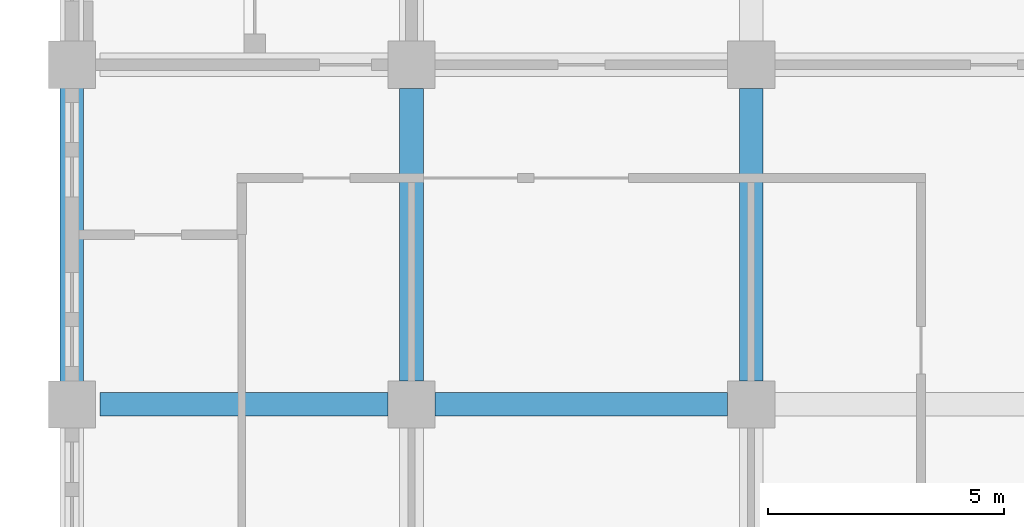
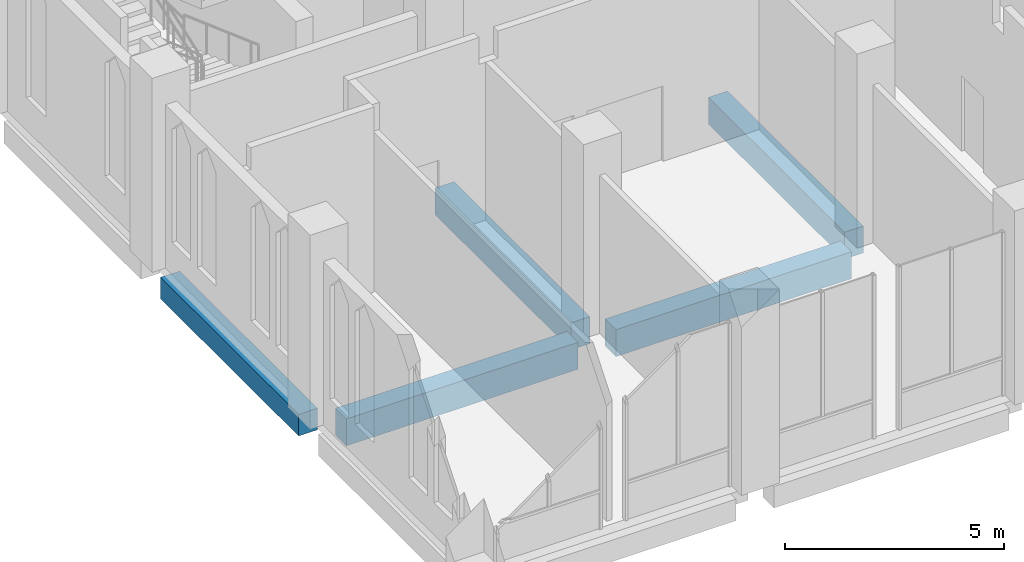
# One storey, part 9 of 48: 5 beams.
"""IFC4 building model written with IfcOpenShell, lengths in metres."""

import ifcopenshell
import ifcopenshell.guid

model = None  # the IFC model being written
_history = None  # IfcOwnerHistory: only IFC2X3 demands one
_inside = {}  # id of a spatial element -> (the spatial element, [elements in it])
_under = {}  # id of a project, library or spatial element -> (it, [spatial elements below it])
_declared = {}  # id of a project -> (the project, [libraries it declares])
_typed = {}  # id of a type object -> (the type object, [elements of that type])
_made_of = {}  # id of a material, layer set ... -> (it, [elements and type objects made of it])


def new_model(schema):
    """Start an empty IFC model of exactly this schema.

    Asked for "IFC4X3", IfcOpenShell would pick the latest addendum, in which some entities
    have other attributes; the version numbers below select the first issue.
    IFC2X3 requires an IfcOwnerHistory on every rooted entity: one is made here for all.
    """
    global model, _history
    if schema == "IFC4X3":
        model = ifcopenshell.file(schema_version=(4, 3, 0, 0))
    else:
        model = ifcopenshell.file(schema=schema)
    _inside.clear()
    _under.clear()
    _declared.clear()
    _typed.clear()
    _made_of.clear()
    _history = None
    if model.schema == "IFC2X3":
        org = make("IfcOrganization", Name="unknown")
        user = make(
            "IfcPersonAndOrganization",
            ThePerson=make("IfcPerson", FamilyName="unknown"),
            TheOrganization=org,
        )
        app = make(
            "IfcApplication",
            ApplicationDeveloper=org,
            Version="unknown",
            ApplicationFullName="unknown",
            ApplicationIdentifier="unknown",
        )
        _history = make(
            "IfcOwnerHistory",
            OwningUser=user,
            OwningApplication=app,
            ChangeAction="ADDED",
            CreationDate=0,
        )
    return model


def make(cls, **values):
    """One entity of the class cls with the attributes given. An attribute that is None is left unset."""
    return model.create_entity(
        cls, **{name: value for name, value in values.items() if value is not None}
    )


def rooted(cls, **values):
    """An entity with a GlobalId (a new one), such as an element, a storey or a relation."""
    return make(cls, GlobalId=ifcopenshell.guid.new(), OwnerHistory=_history, **values)


def si_unit(unit_type, name, prefix=None):
    """IfcSIUnit, for example si_unit("LENGTHUNIT", "METRE", prefix="MILLI")."""
    return make("IfcSIUnit", UnitType=unit_type, Prefix=prefix, Name=name)


def assignment(units):
    """IfcUnitAssignment: the units of a project."""
    return None if units is None else make("IfcUnitAssignment", Units=units)


def point(xyz):
    """IfcCartesianPoint."""
    return None if xyz is None else make("IfcCartesianPoint", Coordinates=xyz)


def direction(xyz):
    """IfcDirection."""
    return None if xyz is None else make("IfcDirection", DirectionRatios=xyz)


def frame(location, z_axis=None, x_axis=None):
    """IfcAxis2Placement3D, a coordinate frame: its origin and axes. An axis left out is left unset."""
    return make(
        "IfcAxis2Placement3D",
        Location=point(location),
        Axis=direction(z_axis),
        RefDirection=direction(x_axis),
    )


def frame_2d(location, x_axis=None):
    """IfcAxis2Placement2D, a coordinate frame in the plane: its origin and x axis."""
    return make(
        "IfcAxis2Placement2D", Location=point(location), RefDirection=direction(x_axis)
    )


def origin():
    """The frame at (0, 0, 0) with its axes left unset."""
    return frame((0.0, 0.0, 0.0))


def origin_2d():
    """The frame at (0, 0) in the plane with its x axis left unset."""
    return frame_2d((0.0, 0.0))


def place(relative_to, where):
    """IfcLocalPlacement: puts the frame where relative to a parent placement (None: the world)."""
    return make(
        "IfcLocalPlacement", PlacementRelTo=relative_to, RelativePlacement=where
    )


def context(
    kind, dimensions, precision=None, world=None, true_north=None, identifier=None
):
    """IfcGeometricRepresentationContext, for example the 3D "Model" context."""
    return make(
        "IfcGeometricRepresentationContext",
        ContextIdentifier=identifier,
        ContextType=kind,
        CoordinateSpaceDimension=dimensions,
        Precision=precision,
        WorldCoordinateSystem=world,
        TrueNorth=true_north,
    )


def subcontext(parent, identifier, kind, view, scale=None):
    """IfcGeometricRepresentationSubContext, for example "Body" below "Model"."""
    return make(
        "IfcGeometricRepresentationSubContext",
        ContextIdentifier=identifier,
        ContextType=kind,
        ParentContext=parent,
        TargetScale=scale,
        TargetView=view,
    )


def project(units=None, contexts=None):
    """IfcProject with its units and contexts."""
    return rooted(
        "IfcProject",
        Name="project",
        RepresentationContexts=contexts,
        UnitsInContext=assignment(units),
    )


def spatial(cls, under=None, at=None, **own):
    """A site, building, storey or space (cls), placed at a placement, below another one or the project."""
    s = rooted(cls, ObjectPlacement=at, **own)
    if under is not None:
        _under.setdefault(under.id(), (under, []))[1].append(s)
    return s


def profile(cls, at=None, kind="AREA", **sizes):
    """A parametric profile (cls). Its sizes go by their IFC names, for example OverallWidth=200.0."""
    return make(cls, ProfileType=kind, Position=at, **sizes)


def rectangle(**sizes):
    """IfcRectangleProfileDef."""
    return profile("IfcRectangleProfileDef", **sizes)


def extrude(swept, where, along, depth):
    """IfcExtrudedAreaSolid: the profile swept, set in the frame where, extruded along a direction by depth."""
    return make(
        "IfcExtrudedAreaSolid",
        SweptArea=swept,
        Position=where,
        ExtrudedDirection=direction(along),
        Depth=depth,
    )


def shape(context_of_items, identifier, shape_type, items):
    """IfcShapeRepresentation: the items that make up one representation, for example the "Body"."""
    return make(
        "IfcShapeRepresentation",
        ContextOfItems=context_of_items,
        RepresentationIdentifier=identifier,
        RepresentationType=shape_type,
        Items=items,
    )


def material(Name=None, Category=None):
    """IfcMaterial."""
    return make("IfcMaterial", Name=Name, Category=Category)


def material_profile(
    of_material, cross_section, Name=None, Category=None, Priority=None
):
    """IfcMaterialProfile: a cross section and its material."""
    return make(
        "IfcMaterialProfile",
        Name=Name,
        Material=of_material,
        Profile=cross_section,
        Priority=Priority,
        Category=Category,
    )


def profile_set(profiles, Name=None, composite=None):
    """IfcMaterialProfileSet."""
    return make(
        "IfcMaterialProfileSet",
        Name=Name,
        MaterialProfiles=profiles,
        CompositeProfile=composite,
    )


def made_of(thing, what):
    """Note that an element or type object is made of a material, layer set ...; save() writes the relation."""
    if what is not None:
        _made_of.setdefault(what.id(), (what, []))[1].append(thing)
    return thing


def type_object(cls, material=None, **own):
    """A type object (cls), such as IfcWallType, which elements share."""
    return made_of(rooted(cls, **own), material)


def element(
    cls,
    number,
    at=None,
    inside=None,
    cuts=None,
    type_object=None,
    material=None,
    context=None,
    identifier="Body",
    shape_type=None,
    held_by="IfcProductDefinitionShape",
    body=None,
    shapes=None,
    **own,
):
    """One element of the class cls, such as IfcWall. Its Tag is "e" and its number.

    at: its placement. inside: the storey or other place that contains it. cuts: it is an
    opening in that element (IfcRelVoidsElement). A single representation is given by context,
    identifier, shape_type and body (its items); several are given by shapes. held_by: the class
    of the entity that holds the representations. save() writes the other relations.
    """
    e = rooted(cls, Tag="e%d" % number, ObjectPlacement=at, **own)
    if body is not None:
        shapes = [shape(context, identifier, shape_type, body)]
    if shapes is not None:
        e.Representation = make(held_by, Representations=shapes)
    if inside is not None:
        _inside.setdefault(inside.id(), (inside, []))[1].append(e)
    if cuts is not None:
        rooted(
            "IfcRelVoidsElement", RelatingBuildingElement=cuts, RelatedOpeningElement=e
        )
    if type_object is not None:
        _typed.setdefault(type_object.id(), (type_object, []))[1].append(e)
    return made_of(e, material)


def aggregate(whole, parts):
    """IfcRelAggregates: a whole, such as a stair, and the parts it consists of."""
    return rooted("IfcRelAggregates", RelatingObject=whole, RelatedObjects=parts)


def save(model, path):
    """Write the relations noted so far, then the file.

    IfcRelAggregates (storeys below a building ...), IfcRelContainedInSpatialStructure (elements
    in a storey), IfcRelDefinesByType, IfcRelAssociatesMaterial and IfcRelDeclares: one each for
    every whole, place, type object, material and project.
    """
    for whole, parts in _under.values():
        aggregate(whole, parts)
    for where, things in _inside.values():
        rooted(
            "IfcRelContainedInSpatialStructure",
            RelatedElements=things,
            RelatingStructure=where,
        )
    for kind, things in _typed.values():
        rooted("IfcRelDefinesByType", RelatedObjects=things, RelatingType=kind)
    for what, things in _made_of.values():
        rooted("IfcRelAssociatesMaterial", RelatedObjects=things, RelatingMaterial=what)
    for by, libraries in _declared.values():
        rooted("IfcRelDeclares", RelatingContext=by, RelatedDefinitions=libraries)
    model.write(path)


model = new_model("IFC4")

# Units and contexts
model_context = context("Model", 3, precision=1e-05, world=origin(), true_north=direction((0.0, 1.0)))
body_context = subcontext(model_context, "Body", "Model", "MODEL_VIEW")
ifc_project = project(units=[si_unit("LENGTHUNIT", "METRE"), si_unit("AREAUNIT", "SQUARE_METRE"), si_unit("VOLUMEUNIT", "CUBIC_METRE"), si_unit("PLANEANGLEUNIT", "RADIAN"), si_unit("MASSUNIT", "GRAM", prefix="KILO")], contexts=[model_context])

# Site, building, storey
site_placement = place(None, origin())
site = spatial("IfcSite", under=ifc_project, at=site_placement, CompositionType="ELEMENT")
building_placement = place(site_placement, origin())
building = spatial("IfcBuilding", under=site, at=building_placement, Name="Silangan Lancet Faculty of Sciences", CompositionType="ELEMENT")
storey_placement = place(building_placement, frame((0.0, 0.0, 6.0)))
storey = spatial("IfcBuildingStorey", under=building, at=storey_placement, Name="L01", CompositionType="ELEMENT", Elevation=6.0)

# Beams
ifc_material_1 = material(Name="Concrete C40/50", Category="concrete")
ifc_material_profile_1 = material_profile(ifc_material_1, rectangle(XDim=0.5, YDim=0.60009765625, at=origin_2d()), Name="RC 500x600")
ifc_profile_set_1 = profile_set([ifc_material_profile_1], Name="Concrete C40/50")
beam_type_1 = type_object("IfcBeamType", Name="BEAM RC 500x600", PredefinedType="BEAM", material=ifc_profile_set_1)
beam_1_placement = place(storey_placement, frame((0.0, 43.64990234375, -0.550048828125), z_axis=(0.0, 1.0, 0.0), x_axis=(-1.0, 0.0, 0.0)))
element("IfcBeam", 1, at=beam_1_placement, inside=storey, type_object=beam_type_1, Name="BM-L01-1G-1H", PredefinedType="BEAM", context=body_context, shape_type="SweptSolid", body=[
    extrude(rectangle(XDim=0.5, YDim=0.60009765625, at=origin_2d()), origin(), (0.0, 0.0, 1.0), 6.300048828125),
])
ifc_material_2 = material(Name="Concrete C40/50", Category="concrete")
ifc_material_profile_2 = material_profile(ifc_material_2, rectangle(XDim=0.5, YDim=0.75, at=origin_2d()), Name="RC 500x750")
ifc_profile_set_2 = profile_set([ifc_material_profile_2], Name="Concrete C40/50")
beam_type_2 = type_object("IfcBeamType", Name="BEAM RC 500x750", PredefinedType="BEAM", material=ifc_profile_set_2)
beam_2_placement = place(storey_placement, frame((0.60009765625, 43.199951171875, -0.625), z_axis=(1.0, 0.0, 0.0), x_axis=(0.0, 1.0, 0.0)))
element("IfcBeam", 2, at=beam_2_placement, inside=storey, type_object=beam_type_2, Name="BM-L01-1G-2G", PredefinedType="BEAM", context=body_context, shape_type="SweptSolid", body=[
    extrude(rectangle(XDim=0.5, YDim=0.75, at=origin_2d()), origin(), (0.0, 0.0, 1.0), 6.099853515625),
])
for number, where, z_axis, x_axis, name in (
    (3, (7.699951171875, 43.199951171875, -0.625), (1.0, 0.0, 0.0), (0.0, 1.0, 0.0), "BM-L01-2G-3G"),
    (4, (7.199951171875, 43.699951171875, -0.625), (0.0, 1.0, 0.0), (-1.0, 0.0, 0.0), "BM-L01-2G-2H"),
    (5, (14.39990234375, 43.699951171875, -0.625), (0.0, 1.0, 0.0), (-1.0, 0.0, 0.0), "BM-L01-3G-3H"),
):
    element("IfcBeam", number, at=place(storey_placement, frame(where, z_axis=z_axis, x_axis=x_axis)), inside=storey, type_object=beam_type_2, Name=name, PredefinedType="BEAM", context=body_context, shape_type="SweptSolid", body=[
        extrude(rectangle(XDim=0.5, YDim=0.75, at=origin_2d()), origin(), (0.0, 0.0, 1.0), 6.199951171875),
    ])

save(model, "model.ifc")
